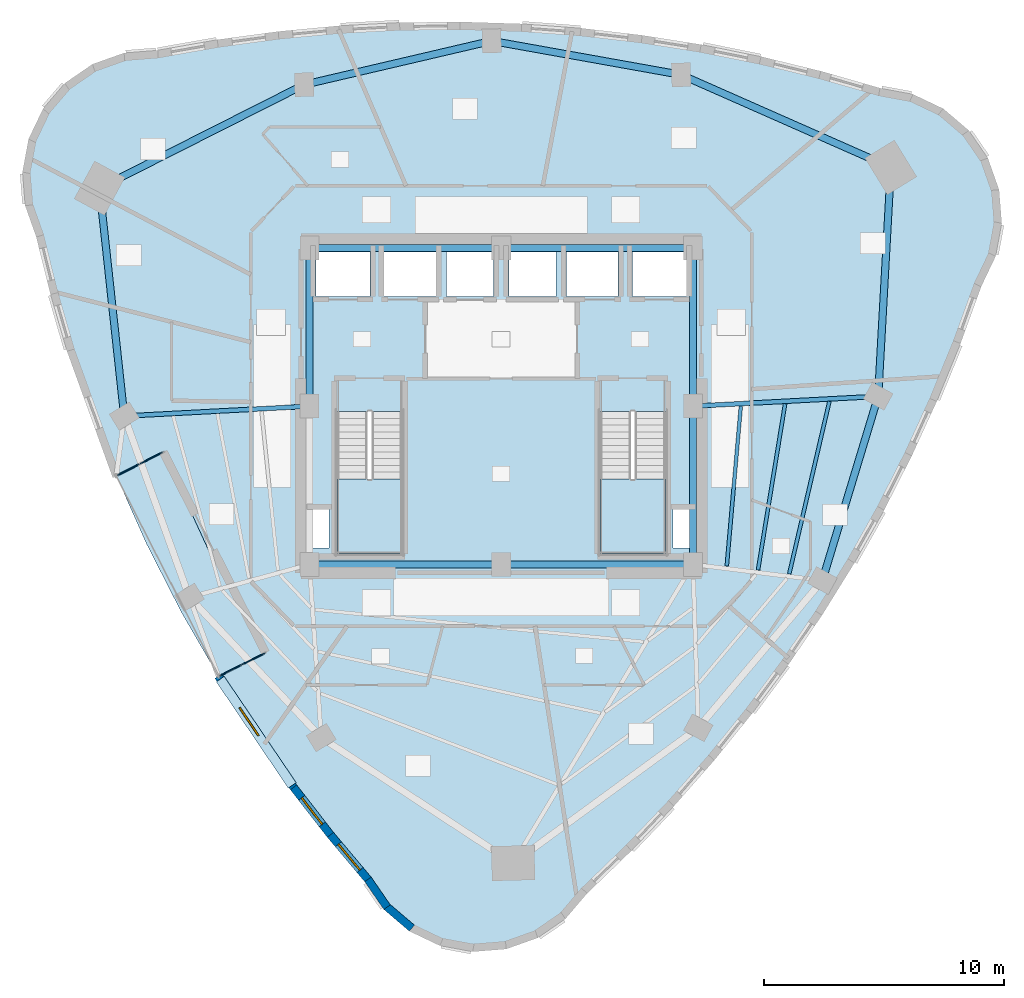
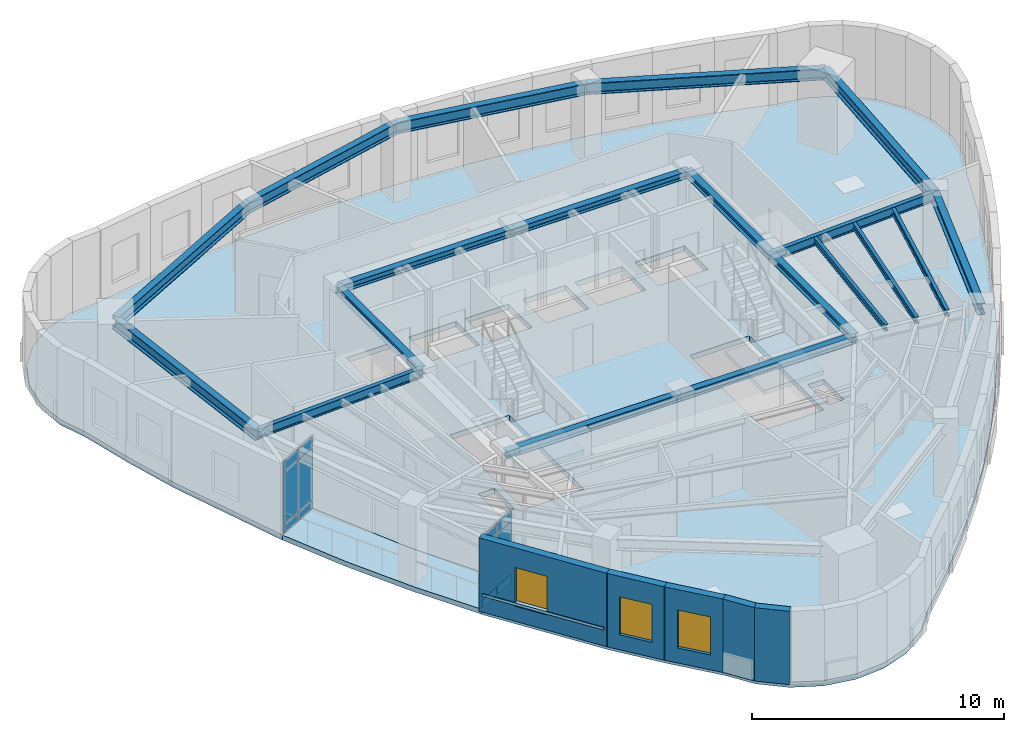
# One storey, part 5 of 12: 19 beams, 13 plates, 5 walls, 4 slabs, 3 windows, 3 openings, 4 elements without a shape of their own.
"""IFC4 building model written with IfcOpenShell, lengths in metres."""

from ifc_helpers import new_model, si_unit, direction, frame, frame_2d, origin, origin_2d, place, context, subcontext, project, spatial, polyline, rectangle, i_section, outline, extrude, material, layer, layer_set, material_profile, profile_set, type_object, element, fill, aggregate, save


model = new_model("IFC4")

# Units and contexts
model_context = context("Model", 3, precision=1e-05, world=origin(), true_north=direction((0.0, 1.0)))
body_context = subcontext(model_context, "Body", "Model", "MODEL_VIEW")
ifc_project = project(units=[si_unit("LENGTHUNIT", "METRE"), si_unit("AREAUNIT", "SQUARE_METRE"), si_unit("VOLUMEUNIT", "CUBIC_METRE"), si_unit("PLANEANGLEUNIT", "RADIAN"), si_unit("MASSUNIT", "GRAM", prefix="KILO")], contexts=[model_context])

# Site, building, storey
site_placement = place(None, origin())
site = spatial("IfcSite", under=ifc_project, at=site_placement, CompositionType="ELEMENT")
building_placement = place(site_placement, origin())
building = spatial("IfcBuilding", under=site, at=building_placement, Name="Ndelora Gate Hotel", CompositionType="ELEMENT")
storey_placement = place(building_placement, frame((0.0, 0.0, 194.14990234375)))
storey = spatial("IfcBuildingStorey", under=building, at=storey_placement, Name="L48", CompositionType="ELEMENT", Elevation=194.14990234375)

# Beams
ifc_material_1 = material(Name="Steel S355", Category="steel")
ifc_material_profile_1 = material_profile(ifc_material_1, i_section(OverallWidth=0.300048828125, OverallDepth=0.35009765625, WebThickness=0.010009765625, FlangeThickness=0.017578125, FilletRadius=0.027099609375, at=origin_2d()), Name="HEA 360")
ifc_profile_set_1 = profile_set([ifc_material_profile_1], Name="Steel S355")
beam_type_1 = type_object("IfcBeamType", Name="BM-CORE-350", PredefinedType="BEAM", material=ifc_profile_set_1)
for number, where, z_axis, x_axis, name in (
    (1, (-8.0, 6.60009765625, 3.375), (1.0, 0.0, 0.0), (0.0, 1.0, 0.0), "L48 Core Tie Girder CC7-CC6"),
    (2, (0.0, 6.60009765625, 3.375), (1.0, 0.0, 0.0), (0.0, 1.0, 0.0), "L48 Core Tie Girder CC6-CC5"),
):
    element("IfcBeam", number, at=place(storey_placement, frame(where, z_axis=z_axis, x_axis=x_axis)), inside=storey, type_object=beam_type_1, Name=name, PredefinedType="BEAM", context=body_context, shape_type="SweptSolid", body=[
        extrude(i_section(OverallWidth=0.300048828125, OverallDepth=0.35009765625, WebThickness=0.010009765625, FlangeThickness=0.017578125, FilletRadius=0.027099609375, at=origin_2d()), origin(), (0.0, 0.0, 1.0), 8.0),
    ])
for number, where, z_axis, x_axis, name in (
    (3, (-8.0, 0.0, 3.375), (0.0, 1.0, 0.0), (-1.0, 0.0, 0.0), "L48 Core Tie Girder CC8-CC7"),
    (4, (8.0, -6.60009765625, 3.375), (0.0, 1.0, 0.0), (-1.0, 0.0, 0.0), "L48 Core Tie Girder CC3-CC4"),
    (5, (8.0, 0.0, 3.375), (0.0, 1.0, 0.0), (-1.0, 0.0, 0.0), "L48 Core Tie Girder CC4-CC5"),
):
    element("IfcBeam", number, at=place(storey_placement, frame(where, z_axis=z_axis, x_axis=x_axis)), inside=storey, type_object=beam_type_1, Name=name, PredefinedType="BEAM", context=body_context, shape_type="SweptSolid", body=[
        extrude(i_section(OverallWidth=0.300048828125, OverallDepth=0.35009765625, WebThickness=0.010009765625, FlangeThickness=0.017578125, FilletRadius=0.027099609375, at=origin_2d()), origin(), (0.0, 0.0, 1.0), 6.60009765625),
    ])
for number, where, z_axis, x_axis, name in (
    (6, (-8.0, -6.60009765625, 3.375), (1.0, 0.0, 0.0), (0.0, 1.0, 0.0), "L48 Core Tie Girder CC1-CC2"),
    (7, (0.0, -6.60009765625, 3.375), (1.0, 0.0, 0.0), (0.0, 1.0, 0.0), "L48 Core Tie Girder CC2-CC3"),
):
    element("IfcBeam", number, at=place(storey_placement, frame(where, z_axis=z_axis, x_axis=x_axis)), inside=storey, type_object=beam_type_1, Name=name, PredefinedType="BEAM", context=body_context, shape_type="SweptSolid", body=[
        extrude(i_section(OverallWidth=0.300048828125, OverallDepth=0.35009765625, WebThickness=0.010009765625, FlangeThickness=0.017578125, FilletRadius=0.027099609375, at=origin_2d()), origin(), (0.0, 0.0, 1.0), 8.0),
    ])
ifc_material_profile_2 = material_profile(ifc_material_1, i_section(OverallWidth=0.14990234375, OverallDepth=0.300048828125, WebThickness=0.007080078125, FlangeThickness=0.0107421875, FilletRadius=0.014892578125, at=origin_2d()), Name="IPE 300")
ifc_profile_set_2 = profile_set([ifc_material_profile_2], Name="Steel S355")
beam_type_2 = type_object("IfcBeamType", Name="BM-JST-300", PredefinedType="JOIST", material=ifc_profile_set_2)
beam_1_placement = place(storey_placement, frame((9.413330078125, -6.671142578125, 3.400146484375), z_axis=(0.087643872384, 0.996151871771, 0.0), x_axis=(-0.996151871771, 0.087643872384, 0.0)))
element("IfcBeam", 8, at=beam_1_placement, inside=storey, type_object=beam_type_2, Name="L48 Secondary Composite Floor Joist IN-7", PredefinedType="JOIST", context=body_context, shape_type="SweptSolid", body=[
    extrude(i_section(OverallWidth=0.14990234375, OverallDepth=0.300048828125, WebThickness=0.007080078125, FlangeThickness=0.0107421875, FilletRadius=0.014892578125, at=origin_2d()), origin(), (0.0, 0.0, 1.0), 6.699462890625),
])
beam_2_placement = place(storey_placement, frame((10.717041015625, -6.834228515625, 3.400146484375), z_axis=(0.160939239626, 0.986964316046, 0.0), x_axis=(-0.986964316046, 0.160939239626, 0.0)))
element("IfcBeam", 9, at=beam_2_placement, inside=storey, type_object=beam_type_2, Name="L48 Secondary Composite Floor Joist MID-7", PredefinedType="JOIST", context=body_context, shape_type="SweptSolid", body=[
    extrude(i_section(OverallWidth=0.14990234375, OverallDepth=0.300048828125, WebThickness=0.007080078125, FlangeThickness=0.0107421875, FilletRadius=0.014892578125, at=origin_2d()), origin(), (0.0, 0.0, 1.0), 7.028076171875),
])
beam_3_placement = place(storey_placement, frame((12.02001953125, -6.997802734375, 3.400146484375), z_axis=(0.22674518397, 0.973954116756, 0.0), x_axis=(-0.973954116756, 0.22674518397, 0.0)))
element("IfcBeam", 10, at=beam_3_placement, inside=storey, type_object=beam_type_2, Name="L48 Secondary Composite Floor Joist OUT-7", PredefinedType="JOIST", context=body_context, shape_type="SweptSolid", body=[
    extrude(i_section(OverallWidth=0.14990234375, OverallDepth=0.300048828125, WebThickness=0.007080078125, FlangeThickness=0.0107421875, FilletRadius=0.014892578125, at=origin_2d()), origin(), (0.0, 0.0, 1.0), 7.392822265625),
])
ifc_material_profile_3 = material_profile(ifc_material_1, i_section(OverallWidth=0.18994140625, OverallDepth=0.449951171875, WebThickness=0.009521484375, FlangeThickness=0.0146484375, FilletRadius=0.02099609375, at=origin_2d()), Name="IPE 450")
ifc_profile_set_3 = profile_set([ifc_material_profile_3], Name="Steel S355")
beam_type_3 = type_object("IfcBeamType", Name="BM-RAD-450", PredefinedType="BEAM", material=ifc_profile_set_3)
for number, where, z_axis, x_axis, name in (
    (11, (-8.0, 0.0, 3.3251953125), (-0.998583554121, -0.053206065814, 0.0), (0.053206065814, -0.998583554121, 0.0), "L48 Radial Floor Girder 2"),
    (12, (8.0, 0.0, 3.3251953125), (0.998583554121, 0.053206065814, 0.0), (-0.053206065814, 0.998583554121, 0.0), "L48 Radial Floor Girder 8"),
):
    element("IfcBeam", number, at=place(storey_placement, frame(where, z_axis=z_axis, x_axis=x_axis)), inside=storey, type_object=beam_type_3, Name=name, PredefinedType="BEAM", context=body_context, shape_type="SweptSolid", body=[
        extrude(i_section(OverallWidth=0.18994140625, OverallDepth=0.449951171875, WebThickness=0.009521484375, FlangeThickness=0.0146484375, FilletRadius=0.02099609375, at=origin_2d()), origin(), (0.0, 0.0, 1.0), 7.740966796875),
    ])
ifc_material_profile_4 = material_profile(ifc_material_1, i_section(OverallWidth=0.300048828125, OverallDepth=0.550048828125, WebThickness=0.014892578125, FlangeThickness=0.029052734375, FilletRadius=0.027099609375, at=origin_2d()), Name="HEB 550")
ifc_profile_set_4 = profile_set([ifc_material_profile_4], Name="Steel S355")
beam_type_4 = type_object("IfcBeamType", Name="BM-RING-550", PredefinedType="SPANDREL", material=ifc_profile_set_4)
beam_4_placement = place(storey_placement, frame((-16.759521484375, 9.099609375, 3.275146484375), z_axis=(0.107613416645, -0.994192814578, 0.0), x_axis=(0.994192814578, 0.107613416645, 0.0)))
element("IfcBeam", 13, at=beam_4_placement, inside=storey, type_object=beam_type_4, Name="L48 Perimeter Spandrel Girder 1", PredefinedType="SPANDREL", context=body_context, shape_type="SweptSolid", body=[
    extrude(i_section(OverallWidth=0.300048828125, OverallDepth=0.550048828125, WebThickness=0.014892578125, FlangeThickness=0.029052734375, FilletRadius=0.027099609375, at=origin_2d()), origin(), (0.0, 0.0, 1.0), 9.567138671875),
])
beam_5_placement = place(storey_placement, frame((13.400390625, -7.275634765625, 3.275146484375), z_axis=(0.290012456561, 0.957022870698, 0.0), x_axis=(-0.957022870698, 0.290012456561, 0.0)))
element("IfcBeam", 14, at=beam_5_placement, inside=storey, type_object=beam_type_4, Name="L48 Perimeter Spandrel Girder 7", PredefinedType="SPANDREL", context=body_context, shape_type="SweptSolid", body=[
    extrude(i_section(OverallWidth=0.300048828125, OverallDepth=0.550048828125, WebThickness=0.014892578125, FlangeThickness=0.029052734375, FilletRadius=0.027099609375, at=origin_2d()), origin(), (0.0, 0.0, 1.0), 8.03271484375),
])
beam_6_placement = place(storey_placement, frame((15.72998046875, 0.411865234375, 3.275146484375), z_axis=(0.055426206248, 0.998462786318, 0.0), x_axis=(-0.998462786318, 0.055426206248, 0.0)))
element("IfcBeam", 15, at=beam_6_placement, inside=storey, type_object=beam_type_4, Name="L48 Perimeter Spandrel Girder 8", PredefinedType="SPANDREL", context=body_context, shape_type="SweptSolid", body=[
    extrude(i_section(OverallWidth=0.300048828125, OverallDepth=0.550048828125, WebThickness=0.014892578125, FlangeThickness=0.029052734375, FilletRadius=0.027099609375, at=origin_2d()), origin(), (0.0, 0.0, 1.0), 9.567138671875),
])
beam_7_placement = place(storey_placement, frame((16.26025390625, 9.96435546875, 3.275146484375), z_axis=(-0.914807449647, 0.403890245078, 0.0), x_axis=(-0.403890245078, -0.914807449647, 0.0)))
element("IfcBeam", 16, at=beam_7_placement, inside=storey, type_object=beam_type_4, Name="L48 Perimeter Spandrel Girder 9", PredefinedType="SPANDREL", context=body_context, shape_type="SweptSolid", body=[
    extrude(i_section(OverallWidth=0.300048828125, OverallDepth=0.550048828125, WebThickness=0.014892578125, FlangeThickness=0.029052734375, FilletRadius=0.027099609375, at=origin_2d()), origin(), (0.0, 0.0, 1.0), 9.56689453125),
])
for number, where, z_axis, x_axis, name in (
    (17, (7.50830078125, 13.828369140625, 3.275146484375), (-0.984373619655, 0.176092523767, 0.0), (-0.176092523767, -0.984373619655, 0.0), "L48 Perimeter Spandrel Girder 10"),
    (18, (-0.399169921875, 15.242919921875, 3.275146484375), (-0.973809142107, -0.227367004529, 0.0), (0.227367004529, -0.973809142107, 0.0), "L48 Perimeter Spandrel Girder 11"),
):
    element("IfcBeam", number, at=place(storey_placement, frame(where, z_axis=z_axis, x_axis=x_axis)), inside=storey, type_object=beam_type_4, Name=name, PredefinedType="SPANDREL", context=body_context, shape_type="SweptSolid", body=[
        extrude(i_section(OverallWidth=0.300048828125, OverallDepth=0.550048828125, WebThickness=0.014892578125, FlangeThickness=0.029052734375, FilletRadius=0.027099609375, at=origin_2d()), origin(), (0.0, 0.0, 1.0), 8.032958984375),
    ])
beam_8_placement = place(storey_placement, frame((-8.2216796875, 13.41650390625, 3.275146484375), z_axis=(-0.89241242978, -0.451220628045, 0.0), x_axis=(0.451220628045, -0.89241242978, 0.0)))
element("IfcBeam", 19, at=beam_8_placement, inside=storey, type_object=beam_type_4, Name="L48 Perimeter Spandrel Girder 12", PredefinedType="SPANDREL", context=body_context, shape_type="SweptSolid", body=[
    extrude(i_section(OverallWidth=0.300048828125, OverallDepth=0.550048828125, WebThickness=0.014892578125, FlangeThickness=0.029052734375, FilletRadius=0.027099609375, at=origin_2d()), origin(), (0.0, 0.0, 1.0), 9.567138671875),
])

# Curtain wall, plates
ifc_material_2 = material(Name="Bronze Anodised Unitised Aluminium and Low-E Glass", Category="aluminium")
ifc_layer_1 = layer(ifc_material_2, 0.199951171875)
ifc_layer_set_1 = layer_set([ifc_layer_1], Name="Bronze Anodised Unitised Aluminium and Low-E Glass")
curtain_wall_type = type_object("IfcCurtainWallType", Name="CW-SYS-3", PredefinedType="NOTDEFINED", material=ifc_layer_set_1)
curtain_wall_1_placement = place(storey_placement, origin())
curtain_wall_1 = element("IfcCurtainWall", 20, at=curtain_wall_1_placement, inside=storey, type_object=curtain_wall_type, Name="L48 Sky-Garden Loggia Side Curtain Wall CW3-1", PredefinedType="NOTDEFINED")
ifc_material_3 = material(Name="Solar-Control Low-E Insulated Glazing", Category="glass")
ifc_layer_2 = layer(ifc_material_3, 0.048095703125)
ifc_layer_set_2 = layer_set([ifc_layer_2], Name="Solar-Control Low-E Insulated Glazing")
plate_type_1 = type_object("IfcPlateType", Name="PL-CW-GLZ36", PredefinedType="CURTAIN_PANEL", material=ifc_layer_set_2)
plate_1_placement = place(storey_placement, frame((-14.6044921875, -2.166259765625, 0.05908203125), z_axis=(0.0, 0.0, 1.0), x_axis=(-0.891001336507, -0.454000680995, 0.0)))
plate_1 = element("IfcPlate", 21, at=plate_1_placement, type_object=plate_type_1, Name="CW3 panel 1.1", PredefinedType="CURTAIN_PANEL", context=body_context, shape_type="SweptSolid", body=[
    extrude(rectangle(XDim=1.014404296875, YDim=0.048095703125, at=origin_2d()), origin(), (0.0, 0.0, 1.0), 0.364501953125),
])
plate_2_placement = place(storey_placement, frame((-14.6044921875, -2.166259765625, 0.4765625), z_axis=(0.0, 0.0, 1.0), x_axis=(-0.891001336507, -0.454000680995, 0.0)))
plate_2 = element("IfcPlate", 22, at=plate_2_placement, type_object=plate_type_1, Name="CW3 panel 1.2", PredefinedType="CURTAIN_PANEL", context=body_context, shape_type="SweptSolid", body=[
    extrude(rectangle(XDim=1.014404296875, YDim=0.048095703125, at=origin_2d()), origin(), (0.0, 0.0, 1.0), 2.4970703125),
])
plate_3_placement = place(storey_placement, frame((-14.6044921875, -2.166259765625, 3.0263671875), z_axis=(0.0, 0.0, 1.0), x_axis=(-0.891001336507, -0.454000680995, 0.0)))
plate_3 = element("IfcPlate", 23, at=plate_3_placement, type_object=plate_type_1, Name="CW3 panel 1.3", PredefinedType="CURTAIN_PANEL", context=body_context, shape_type="SweptSolid", body=[
    extrude(rectangle(XDim=1.014404296875, YDim=0.048095703125, at=origin_2d()), origin(), (0.0, 0.0, 1.0), 0.464599609375),
])
plate_4_placement = place(storey_placement, frame((-15.5556640625, -2.651123046875, 0.05908203125), z_axis=(0.0, 0.0, 1.0), x_axis=(-0.891001336507, -0.454000680995, 0.0)))
plate_4 = element("IfcPlate", 24, at=plate_4_placement, type_object=plate_type_1, Name="CW3 panel 2.1", PredefinedType="CURTAIN_PANEL", context=body_context, shape_type="SweptSolid", body=[
    extrude(rectangle(XDim=1.014404296875, YDim=0.048095703125, at=origin_2d()), origin(), (0.0, 0.0, 1.0), 0.364501953125),
])
plate_5_placement = place(storey_placement, frame((-15.5556640625, -2.651123046875, 0.4765625), z_axis=(0.0, 0.0, 1.0), x_axis=(-0.891001336507, -0.454000680995, 0.0)))
plate_5 = element("IfcPlate", 25, at=plate_5_placement, type_object=plate_type_1, Name="CW3 panel 2.2", PredefinedType="CURTAIN_PANEL", context=body_context, shape_type="SweptSolid", body=[
    extrude(rectangle(XDim=1.014404296875, YDim=0.048095703125, at=origin_2d()), origin(), (0.0, 0.0, 1.0), 2.4970703125),
])
plate_6_placement = place(storey_placement, frame((-15.5556640625, -2.651123046875, 3.0263671875), z_axis=(0.0, 0.0, 1.0), x_axis=(-0.891001336507, -0.454000680995, 0.0)))
plate_6 = element("IfcPlate", 26, at=plate_6_placement, type_object=plate_type_1, Name="CW3 panel 2.3", PredefinedType="CURTAIN_PANEL", context=body_context, shape_type="SweptSolid", body=[
    extrude(rectangle(XDim=1.014404296875, YDim=0.048095703125, at=origin_2d()), origin(), (0.0, 0.0, 1.0), 0.464599609375),
])
aggregate(curtain_wall_1, [plate_1, plate_2, plate_3, plate_4, plate_5, plate_6])

curtain_wall_2_placement = place(storey_placement, origin())
curtain_wall_2 = element("IfcCurtainWall", 27, at=curtain_wall_2_placement, inside=storey, type_object=curtain_wall_type, Name="L48 Sky-Garden Loggia Side Curtain Wall CW3-2", PredefinedType="NOTDEFINED")
plate_7_placement = place(storey_placement, frame((-11.2880859375, -11.026611328125, 0.05908203125), z_axis=(0.0, 0.0, 1.0), x_axis=(0.891001336507, 0.454000680995, 0.0)))
plate_7 = element("IfcPlate", 28, at=plate_7_placement, type_object=plate_type_1, Name="CW3 panel 1.1", PredefinedType="CURTAIN_PANEL", context=body_context, shape_type="SweptSolid", body=[
    extrude(rectangle(XDim=1.014404296875, YDim=0.048095703125, at=origin_2d()), origin(), (0.0, 0.0, 1.0), 0.364501953125),
])
plate_8_placement = place(storey_placement, frame((-11.2880859375, -11.026611328125, 0.4765625), z_axis=(0.0, 0.0, 1.0), x_axis=(0.891001336507, 0.454000680995, 0.0)))
plate_8 = element("IfcPlate", 29, at=plate_8_placement, type_object=plate_type_1, Name="CW3 panel 1.2", PredefinedType="CURTAIN_PANEL", context=body_context, shape_type="SweptSolid", body=[
    extrude(rectangle(XDim=1.014404296875, YDim=0.048095703125, at=origin_2d()), origin(), (0.0, 0.0, 1.0), 2.4970703125),
])
plate_9_placement = place(storey_placement, frame((-11.2880859375, -11.026611328125, 3.0263671875), z_axis=(0.0, 0.0, 1.0), x_axis=(0.891001336507, 0.454000680995, 0.0)))
plate_9 = element("IfcPlate", 30, at=plate_9_placement, type_object=plate_type_1, Name="CW3 panel 1.3", PredefinedType="CURTAIN_PANEL", context=body_context, shape_type="SweptSolid", body=[
    extrude(rectangle(XDim=1.014404296875, YDim=0.048095703125, at=origin_2d()), origin(), (0.0, 0.0, 1.0), 0.464599609375),
])
plate_10_placement = place(storey_placement, frame((-10.3369140625, -10.5419921875, 0.05908203125), z_axis=(0.0, 0.0, 1.0), x_axis=(0.891001336507, 0.454000680995, 0.0)))
plate_10 = element("IfcPlate", 31, at=plate_10_placement, type_object=plate_type_1, Name="CW3 panel 2.1", PredefinedType="CURTAIN_PANEL", context=body_context, shape_type="SweptSolid", body=[
    extrude(rectangle(XDim=1.014404296875, YDim=0.048095703125, at=origin_2d()), origin(), (0.0, 0.0, 1.0), 0.364501953125),
])
plate_11_placement = place(storey_placement, frame((-10.3369140625, -10.5419921875, 0.4765625), z_axis=(0.0, 0.0, 1.0), x_axis=(0.891001336507, 0.454000680995, 0.0)))
plate_11 = element("IfcPlate", 32, at=plate_11_placement, type_object=plate_type_1, Name="CW3 panel 2.2", PredefinedType="CURTAIN_PANEL", context=body_context, shape_type="SweptSolid", body=[
    extrude(rectangle(XDim=1.014404296875, YDim=0.048095703125, at=origin_2d()), origin(), (0.0, 0.0, 1.0), 2.4970703125),
])
plate_12_placement = place(storey_placement, frame((-10.3369140625, -10.5419921875, 3.0263671875), z_axis=(0.0, 0.0, 1.0), x_axis=(0.891001336507, 0.454000680995, 0.0)))
plate_12 = element("IfcPlate", 33, at=plate_12_placement, type_object=plate_type_1, Name="CW3 panel 2.3", PredefinedType="CURTAIN_PANEL", context=body_context, shape_type="SweptSolid", body=[
    extrude(rectangle(XDim=1.014404296875, YDim=0.048095703125, at=origin_2d()), origin(), (0.0, 0.0, 1.0), 0.464599609375),
])
aggregate(curtain_wall_2, [plate_7, plate_8, plate_9, plate_10, plate_11, plate_12])

# Plate
ifc_material_4 = material(Name="Precast concrete C40/50", Category="concrete")
ifc_layer_3 = layer(ifc_material_4, 0.125)
ifc_layer_set_3 = layer_set([ifc_layer_3], Name="Precast concrete C40/50")
plate_type_2 = type_object("IfcPlateType", Name="PL-SILL-120", PredefinedType="USERDEFINED", material=ifc_layer_set_3)
plate_13_placement = place(storey_placement, frame((-10.220458984375, -13.6044921875, 0.78759765625), z_axis=(0.0, 0.0, 1.0), x_axis=(-0.560783509816, 0.827962472047, 0.0)))
element("IfcPlate", 34, at=plate_13_placement, inside=storey, type_object=plate_type_2, Name="L48 Streamline Precast Ribbon Sill 16", ObjectType="RIBBON_SILL", PredefinedType="USERDEFINED", context=body_context, shape_type="SweptSolid", body=[
    extrude(rectangle(XDim=5.35693359375, YDim=0.39990234375, at=origin_2d()), origin(), (0.0, 0.0, 1.0), 0.125),
])

# Stair, slab
stair_type = type_object("IfcStairType", Name="STR-DOG-CORE", PredefinedType="HALF_TURN_STAIR", material=ifc_material_4)
stair_1_placement = place(storey_placement, origin())
stair_1 = element("IfcStair", 35, at=stair_1_placement, inside=storey, type_object=stair_type, Name="L48 Protected Core Exit Stair ST4", PredefinedType="HALF_TURN_STAIR")
ifc_layer_4 = layer(ifc_material_4, 0.219970703125)
ifc_layer_set_4 = layer_set([ifc_layer_4], Name="Precast concrete C40/50")
slab_type_1 = type_object("IfcSlabType", Name="SL-LAND-220", PredefinedType="LANDING", material=ifc_layer_set_4)
slab_1_placement = place(storey_placement, frame((0.0, 0.0, 1.7001953125)))
slab_1 = element("IfcSlab", 36, at=slab_1_placement, type_object=slab_type_1, Name="ST4 landing 1", PredefinedType="LANDING", context=body_context, shape_type="SweptSolid", body=[
    extrude(outline(polyline([(-6.85009765625, -3.030029296875), (-6.85009765625, -6.14990234375), (-4.1298828125, -6.14990234375), (-4.1298828125, -3.030029296875), (-6.85009765625, -3.030029296875)])), origin(), (0.0, 0.0, 1.0), 0.199951171875),
])
aggregate(stair_1, [slab_1])

stair_2_placement = place(storey_placement, origin())
stair_2 = element("IfcStair", 37, at=stair_2_placement, inside=storey, type_object=stair_type, Name="L48 Protected Core Exit Stair ST5", PredefinedType="HALF_TURN_STAIR")
slab_2_placement = place(storey_placement, frame((0.0, 0.0, 1.7001953125)))
slab_2 = element("IfcSlab", 38, at=slab_2_placement, type_object=slab_type_1, Name="ST5 landing 1", PredefinedType="LANDING", context=body_context, shape_type="SweptSolid", body=[
    extrude(outline(polyline([(4.1298828125, -3.030029296875), (4.1298828125, -6.14990234375), (6.85009765625, -6.14990234375), (6.85009765625, -3.030029296875), (4.1298828125, -3.030029296875)])), origin(), (0.0, 0.0, 1.0), 0.199951171875),
])
aggregate(stair_2, [slab_2])

# Slabs
ifc_layer_5 = layer(ifc_material_4, 0.239990234375)
ifc_layer_set_5 = layer_set([ifc_layer_5], Name="Precast concrete C40/50")
slab_type_2 = type_object("IfcSlabType", Name="SL-TER-240", PredefinedType="FLOOR", material=ifc_layer_set_5)
slab_3_placement = place(storey_placement, frame((0.0, 0.0, -0.239990234375)))
element("IfcSlab", 39, at=slab_3_placement, inside=storey, type_object=slab_type_2, Name="L48 Sky Garden Loggia Terrace Slab", PredefinedType="FLOOR", context=body_context, shape_type="SweptSolid", body=[
    extrude(outline(polyline([(-14.099853515625, -1.9091796875), (-16.06005859375, -2.908203125), (-14.797119140625, -5.74609375), (-13.345947265625, -8.593505859375), (-11.79248046875, -11.28369140625), (-9.83251953125, -10.284912109375), (-12.13037109375, -6.1806640625), (-14.099853515625, -1.9091796875)])), origin(), (0.0, 0.0, 1.0), 0.239990234375),
])
ifc_material_5 = material(Name="Concrete C40/50", Category="concrete")
ifc_layer_6 = layer(ifc_material_5, 0.25)
ifc_layer_set_6 = layer_set([ifc_layer_6], Name="Concrete C40/50")
slab_type_3 = type_object("IfcSlabType", Name="SL-TWR-250", PredefinedType="FLOOR", material=ifc_layer_set_6)
slab_4_placement = place(storey_placement, frame((0.0, 0.0, -0.25)))
element("IfcSlab", 40, at=slab_4_placement, inside=storey, type_object=slab_type_3, Name="L48 Structural Floor Slab", PredefinedType="FLOOR", context=body_context, shape_type="SweptSolid", body=[
    extrude(outline(polyline([(-14.344482421875, 14.68505859375), (-15.69775390625, 14.57861328125), (-16.977294921875, 14.12548828125), (-18.09619140625, 13.3564453125), (-18.977783203125, 12.32421875), (-19.56201171875, 11.09912109375), (-19.8095703125, 9.764404296875), (-19.702880859375, 8.410888671875), (-19.249755859375, 7.13134765625), (-18.65185546875, 4.7255859375), (-17.96728515625, 2.3642578125), (-16.06005859375, -2.908203125), (-14.099853515625, -1.9091796875), (-12.13037109375, -6.1806640625), (-9.83251953125, -10.284912109375), (-11.79248046875, -11.28369140625), (-8.648193359375, -15.92529296875), (-7.14013671875, -17.867431640625), (-5.54541015625, -19.76513671875), (-4.776611328125, -20.8837890625), (-3.744140625, -21.765380859375), (-2.51904296875, -22.349853515625), (-1.184326171875, -22.597412109375), (0.1689453125, -22.49072265625), (1.448486328125, -22.03759765625), (2.5673828125, -21.268798828125), (3.448974609375, -20.236572265625), (5.305908203125, -18.443115234375), (7.074462890625, -16.592041015625), (8.75439453125, -14.68359375), (10.345703125, -12.717529296875), (11.848388671875, -10.694091796875), (13.262939453125, -8.613037109375), (14.588623046875, -6.474609375), (15.825927734375, -4.278564453125), (16.974609375, -2.025146484375), (18.034912109375, 0.285888671875), (19.006591796875, 2.654296875), (19.889892578125, 5.080078125), (20.47412109375, 6.305419921875), (20.7216796875, 7.64013671875), (20.614990234375, 8.993408203125), (20.161865234375, 10.27294921875), (19.39306640625, 11.391845703125), (18.36083984375, 12.2734375), (17.135498046875, 12.85791015625), (15.80078125, 13.10498046875), (13.319091796875, 13.816650390625), (10.831787109375, 14.422607421875), (8.339111328125, 14.923095703125), (5.8408203125, 15.318359375), (3.3369140625, 15.608154296875), (0.82763671875, 15.79248046875), (-1.687255859375, 15.871337890625), (-4.20751953125, 15.844970703125), (-6.7333984375, 15.713134765625), (-9.264892578125, 15.475830078125), (-11.802001953125, 15.133056640625), (-14.344482421875, 14.68505859375)]), holes=[polyline([(-6.85009765625, -0.22998046875), (-6.85009765625, -6.14990234375), (-4.1298828125, -6.14990234375), (-4.1298828125, -0.22998046875), (-6.85009765625, -0.22998046875)]), polyline([(4.1298828125, -0.22998046875), (4.1298828125, -6.14990234375), (6.85009765625, -6.14990234375), (6.85009765625, -0.22998046875), (4.1298828125, -0.22998046875)]), polyline([(-7.72998046875, 4.570068359375), (-5.469970703125, 4.570068359375), (-5.469970703125, 6.429931640625), (-7.72998046875, 6.429931640625), (-7.72998046875, 4.570068359375)]), polyline([(5.469970703125, 4.570068359375), (7.72998046875, 4.570068359375), (7.72998046875, 6.429931640625), (5.469970703125, 6.429931640625), (5.469970703125, 4.570068359375)]), polyline([(-4.8798828125, 4.570068359375), (-2.719970703125, 4.570068359375), (-2.719970703125, 6.429931640625), (-4.8798828125, 6.429931640625), (-4.8798828125, 4.570068359375)]), polyline([(2.719970703125, 4.570068359375), (4.8798828125, 4.570068359375), (4.8798828125, 6.429931640625), (2.719970703125, 6.429931640625), (2.719970703125, 4.570068359375)]), polyline([(-2.280029296875, 4.570068359375), (-0.320068359375, 4.570068359375), (-0.320068359375, 6.429931640625), (-2.280029296875, 6.429931640625), (-2.280029296875, 4.570068359375)]), polyline([(0.320068359375, 4.570068359375), (2.280029296875, 4.570068359375), (2.280029296875, 6.429931640625), (0.320068359375, 6.429931640625), (0.320068359375, 4.570068359375)]), polyline([(-7.89990234375, -5.919921875), (-7.179931640625, -5.919921875), (-7.179931640625, -4.320068359375), (-7.89990234375, -4.320068359375), (-7.89990234375, -5.919921875)]), polyline([(7.179931640625, -5.919921875), (7.89990234375, -5.919921875), (7.89990234375, -4.320068359375), (7.179931640625, -4.320068359375), (7.179931640625, -5.919921875)])]), origin(), (0.0, 0.0, 1.0), 0.25),
])

# Wall, opening, window
ifc_material_6 = material(Name="Clay Brick Masonry", Category="masonry")
ifc_layer_7 = layer(ifc_material_6, 0.330078125)
ifc_layer_set_7 = layer_set([ifc_layer_7], Name="Clay Brick Masonry")
wall_type = type_object("IfcWallType", Name="WL-BRICK-330", PredefinedType="SOLIDWALL", material=ifc_layer_set_7)
wall_1_placement = place(storey_placement, frame((-8.63427734375, -15.946044921875, 0.0), z_axis=(0.0, 0.0, 1.0), x_axis=(-0.560840510301, 0.827923862444, 0.0)))
wall_1 = element("IfcWall", 41, at=wall_1_placement, inside=storey, type_object=wall_type, Name="L48 Tower Brick Pier-and-Spandrel Wall TWR-16", PredefinedType="SOLIDWALL", context=body_context, shape_type="SweptSolid", body=[
    extrude(rectangle(XDim=5.656494140625, YDim=0.330078125, at=frame_2d((2.828125, 0.0))), origin(), (0.0, 0.0, 1.0), 3.550048828125),
])
opening_1_placement = place(wall_1_placement, frame((2.659912109375, 0.0, 0.719970703125)))
opening_1 = element("IfcOpeningElement", 42, at=opening_1_placement, cuts=wall_1, Name="Opening W02", PredefinedType="OPENING", context=body_context, shape_type="SweptSolid", body=[
    extrude(rectangle(XDim=1.39990234375, YDim=1.8798828125, at=frame_2d((0.699951171875, 0.93994140625))), frame((0.0, 0.175048828125, 0.0), z_axis=(0.0, -1.0, 0.0), x_axis=(1.0, 0.0, 0.0)), (0.0, 0.0, 1.0), 0.35009765625),
])
ifc_material_7 = material(Name="Insulated Low-E Double Glazing in Bronze Aluminium Frame", Category="aluminium")
window_type = type_object("IfcWindowType", Name="WN-DEEP-1400", PartitioningType="SINGLE_PANEL", PredefinedType="WINDOW", material=ifc_material_7)
window_1_placement = place(opening_1_placement, origin())
window_1 = element("IfcWindow", 43, at=window_1_placement, inside=storey, type_object=window_type, Name="L48 Deep-Set Brick-Pier Window W02", OverallHeight=1.8798828125, OverallWidth=1.39990234375, PartitioningType="SINGLE_PANEL", PredefinedType="WINDOW", context=body_context, shape_type="SweptSolid", body=[
    extrude(rectangle(XDim=1.39990234375, YDim=1.8798828125, at=frame_2d((0.699951171875, 0.93994140625))), frame((0.0, 0.030029296875, 0.0), z_axis=(0.0, -1.0, 0.0), x_axis=(1.0, 0.0, 0.0)), (0.0, 0.0, 1.0), 0.06005859375),
])
fill(opening_1, window_1)

wall_2_placement = place(storey_placement, frame((-7.124755859375, -17.88720703125, 0.0), z_axis=(0.0, 0.0, 1.0), x_axis=(-0.61336779868, 0.789797406645, 0.0)))
wall_2 = element("IfcWall", 44, at=wall_2_placement, inside=storey, type_object=wall_type, Name="L48 Tower Brick Pier-and-Spandrel Wall TWR-17", PredefinedType="SOLIDWALL", context=body_context, shape_type="SweptSolid", body=[
    extrude(rectangle(XDim=2.5087890625, YDim=0.330078125, at=frame_2d((1.25439453125, 0.0))), origin(), (0.0, 0.0, 1.0), 3.550048828125),
])
opening_2_placement = place(wall_2_placement, frame((0.554443359375, 0.0, 0.719970703125)))
opening_2 = element("IfcOpeningElement", 45, at=opening_2_placement, cuts=wall_2, Name="Opening W02", PredefinedType="OPENING", context=body_context, shape_type="SweptSolid", body=[
    extrude(rectangle(XDim=1.39990234375, YDim=1.840087890625, at=frame_2d((0.699951171875, 0.919921875))), frame((0.0, 0.175048828125, 0.0), z_axis=(0.0, -1.0, 0.0), x_axis=(1.0, 0.0, 0.0)), (0.0, 0.0, 1.0), 0.35009765625),
])
window_2_placement = place(opening_2_placement, origin())
window_2 = element("IfcWindow", 46, at=window_2_placement, inside=storey, type_object=window_type, Name="L48 Deep-Set Brick-Pier Window W02", OverallHeight=1.840087890625, OverallWidth=1.39990234375, PartitioningType="SINGLE_PANEL", PredefinedType="WINDOW", context=body_context, shape_type="SweptSolid", body=[
    extrude(rectangle(XDim=1.39990234375, YDim=1.840087890625, at=frame_2d((0.699951171875, 0.919921875))), frame((0.0, 0.030029296875, 0.0), z_axis=(0.0, -1.0, 0.0), x_axis=(1.0, 0.0, 0.0)), (0.0, 0.0, 1.0), 0.06005859375),
])
fill(opening_2, window_2)

wall_3_placement = place(storey_placement, frame((-5.529296875, -19.7841796875, 0.0), z_axis=(0.0, 0.0, 1.0), x_axis=(-0.643398111414, 0.765531756513, 0.0)))
wall_3 = element("IfcWall", 47, at=wall_3_placement, inside=storey, type_object=wall_type, Name="L48 Tower Brick Pier-and-Spandrel Wall TWR-18", PredefinedType="SOLIDWALL", context=body_context, shape_type="SweptSolid", body=[
    extrude(rectangle(XDim=2.52880859375, YDim=0.330078125, at=frame_2d((1.264404296875, 0.0))), origin(), (0.0, 0.0, 1.0), 3.550048828125),
])
opening_3_placement = place(wall_3_placement, frame((0.564453125, 0.0, 0.719970703125)))
opening_3 = element("IfcOpeningElement", 48, at=opening_3_placement, cuts=wall_3, Name="Opening W02", PredefinedType="OPENING", context=body_context, shape_type="SweptSolid", body=[
    extrude(rectangle(XDim=1.39990234375, YDim=1.840087890625, at=frame_2d((0.699951171875, 0.919921875))), frame((0.0, 0.175048828125, 0.0), z_axis=(0.0, -1.0, 0.0), x_axis=(1.0, 0.0, 0.0)), (0.0, 0.0, 1.0), 0.35009765625),
])
window_3_placement = place(opening_3_placement, origin())
window_3 = element("IfcWindow", 49, at=window_3_placement, inside=storey, type_object=window_type, Name="L48 Deep-Set Brick-Pier Window W02", OverallHeight=1.840087890625, OverallWidth=1.39990234375, PartitioningType="SINGLE_PANEL", PredefinedType="WINDOW", context=body_context, shape_type="SweptSolid", body=[
    extrude(rectangle(XDim=1.39990234375, YDim=1.840087890625, at=frame_2d((0.699951171875, 0.919921875))), frame((0.0, 0.030029296875, 0.0), z_axis=(0.0, -1.0, 0.0), x_axis=(1.0, 0.0, 0.0)), (0.0, 0.0, 1.0), 0.06005859375),
])
fill(opening_3, window_3)

# Walls
wall_4_placement = place(storey_placement, frame((-4.76220703125, -20.904541015625, 0.0), z_axis=(0.0, 0.0, 1.0), x_axis=(-0.566411052666, 0.824122878834, 0.0)))
element("IfcWall", 50, at=wall_4_placement, inside=storey, type_object=wall_type, Name="L48 Tower Brick Pier-and-Spandrel Wall TWR-19", PredefinedType="SOLIDWALL", context=body_context, shape_type="SweptSolid", body=[
    extrude(rectangle(XDim=1.40771484375, YDim=0.330078125, at=frame_2d((0.703857421875, 0.0))), origin(), (0.0, 0.0, 1.0), 3.550048828125),
])
wall_5_placement = place(storey_placement, frame((-3.72509765625, -21.78173828125, 0.0), z_axis=(0.0, 0.0, 1.0), x_axis=(-0.760430782952, 0.64941898982, 0.0)))
element("IfcWall", 51, at=wall_5_placement, inside=storey, type_object=wall_type, Name="L48 Tower Brick Pier-and-Spandrel Wall TWR-20", PredefinedType="SOLIDWALL", context=body_context, shape_type="SweptSolid", body=[
    extrude(rectangle(XDim=1.407470703125, YDim=0.330078125, at=frame_2d((0.70361328125, 0.0))), origin(), (0.0, 0.0, 1.0), 3.550048828125),
])

save(model, "model.ifc")
